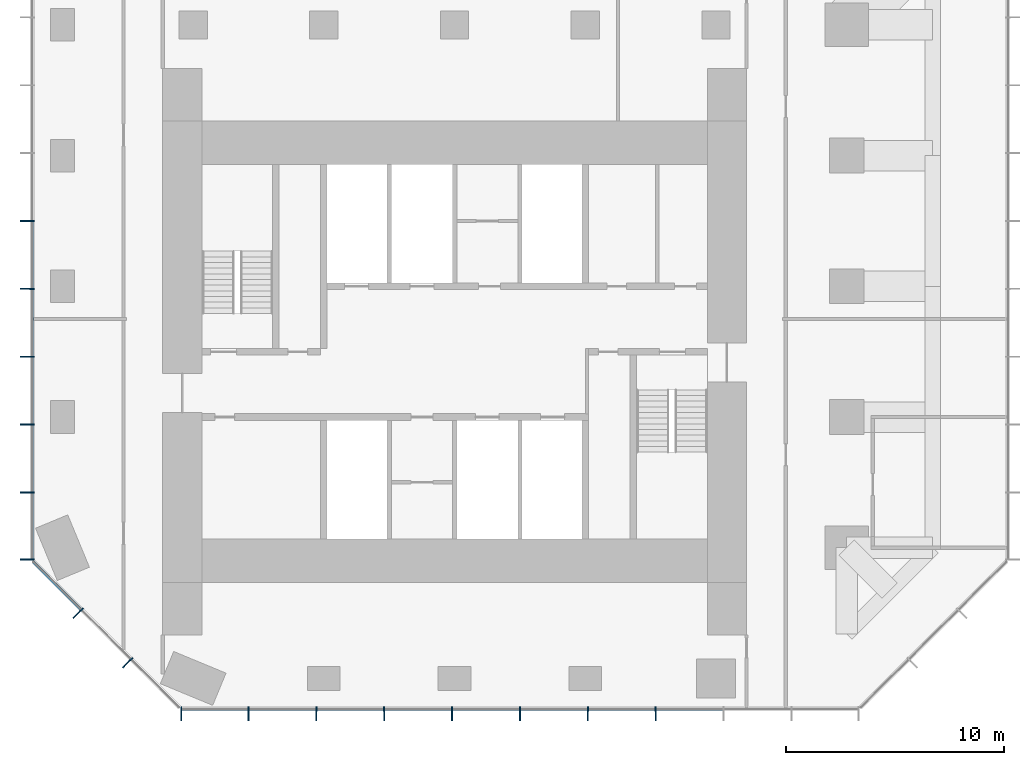
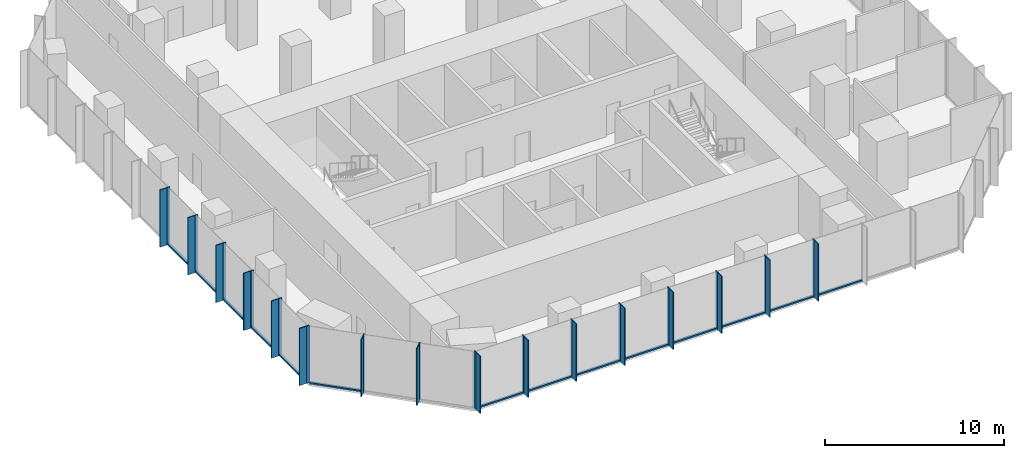
# One storey, part 2 of 11: 46 members, 3 elements without a shape of their own.
"""IFC4 building model written with IfcOpenShell, lengths in metres."""

import ifcopenshell
import ifcopenshell.guid

model = None  # the IFC model being written
_history = None  # IfcOwnerHistory: only IFC2X3 demands one
_inside = {}  # id of a spatial element -> (the spatial element, [elements in it])
_under = {}  # id of a project, library or spatial element -> (it, [spatial elements below it])
_declared = {}  # id of a project -> (the project, [libraries it declares])
_typed = {}  # id of a type object -> (the type object, [elements of that type])
_made_of = {}  # id of a material, layer set ... -> (it, [elements and type objects made of it])


def new_model(schema):
    """Start an empty IFC model of exactly this schema.

    Asked for "IFC4X3", IfcOpenShell would pick the latest addendum, in which some entities
    have other attributes; the version numbers below select the first issue.
    IFC2X3 requires an IfcOwnerHistory on every rooted entity: one is made here for all.
    """
    global model, _history
    if schema == "IFC4X3":
        model = ifcopenshell.file(schema_version=(4, 3, 0, 0))
    else:
        model = ifcopenshell.file(schema=schema)
    _inside.clear()
    _under.clear()
    _declared.clear()
    _typed.clear()
    _made_of.clear()
    _history = None
    if model.schema == "IFC2X3":
        org = make("IfcOrganization", Name="unknown")
        user = make(
            "IfcPersonAndOrganization",
            ThePerson=make("IfcPerson", FamilyName="unknown"),
            TheOrganization=org,
        )
        app = make(
            "IfcApplication",
            ApplicationDeveloper=org,
            Version="unknown",
            ApplicationFullName="unknown",
            ApplicationIdentifier="unknown",
        )
        _history = make(
            "IfcOwnerHistory",
            OwningUser=user,
            OwningApplication=app,
            ChangeAction="ADDED",
            CreationDate=0,
        )
    return model


def make(cls, **values):
    """One entity of the class cls with the attributes given. An attribute that is None is left unset."""
    return model.create_entity(
        cls, **{name: value for name, value in values.items() if value is not None}
    )


def rooted(cls, **values):
    """An entity with a GlobalId (a new one), such as an element, a storey or a relation."""
    return make(cls, GlobalId=ifcopenshell.guid.new(), OwnerHistory=_history, **values)


def si_unit(unit_type, name, prefix=None):
    """IfcSIUnit, for example si_unit("LENGTHUNIT", "METRE", prefix="MILLI")."""
    return make("IfcSIUnit", UnitType=unit_type, Prefix=prefix, Name=name)


def assignment(units):
    """IfcUnitAssignment: the units of a project."""
    return None if units is None else make("IfcUnitAssignment", Units=units)


def point(xyz):
    """IfcCartesianPoint."""
    return None if xyz is None else make("IfcCartesianPoint", Coordinates=xyz)


def direction(xyz):
    """IfcDirection."""
    return None if xyz is None else make("IfcDirection", DirectionRatios=xyz)


def frame(location, z_axis=None, x_axis=None):
    """IfcAxis2Placement3D, a coordinate frame: its origin and axes. An axis left out is left unset."""
    return make(
        "IfcAxis2Placement3D",
        Location=point(location),
        Axis=direction(z_axis),
        RefDirection=direction(x_axis),
    )


def frame_2d(location, x_axis=None):
    """IfcAxis2Placement2D, a coordinate frame in the plane: its origin and x axis."""
    return make(
        "IfcAxis2Placement2D", Location=point(location), RefDirection=direction(x_axis)
    )


def origin():
    """The frame at (0, 0, 0) with its axes left unset."""
    return frame((0.0, 0.0, 0.0))


def origin_2d():
    """The frame at (0, 0) in the plane with its x axis left unset."""
    return frame_2d((0.0, 0.0))


def place(relative_to, where):
    """IfcLocalPlacement: puts the frame where relative to a parent placement (None: the world)."""
    return make(
        "IfcLocalPlacement", PlacementRelTo=relative_to, RelativePlacement=where
    )


def context(
    kind, dimensions, precision=None, world=None, true_north=None, identifier=None
):
    """IfcGeometricRepresentationContext, for example the 3D "Model" context."""
    return make(
        "IfcGeometricRepresentationContext",
        ContextIdentifier=identifier,
        ContextType=kind,
        CoordinateSpaceDimension=dimensions,
        Precision=precision,
        WorldCoordinateSystem=world,
        TrueNorth=true_north,
    )


def subcontext(parent, identifier, kind, view, scale=None):
    """IfcGeometricRepresentationSubContext, for example "Body" below "Model"."""
    return make(
        "IfcGeometricRepresentationSubContext",
        ContextIdentifier=identifier,
        ContextType=kind,
        ParentContext=parent,
        TargetScale=scale,
        TargetView=view,
    )


def project(units=None, contexts=None):
    """IfcProject with its units and contexts."""
    return rooted(
        "IfcProject",
        Name="project",
        RepresentationContexts=contexts,
        UnitsInContext=assignment(units),
    )


def spatial(cls, under=None, at=None, **own):
    """A site, building, storey or space (cls), placed at a placement, below another one or the project."""
    s = rooted(cls, ObjectPlacement=at, **own)
    if under is not None:
        _under.setdefault(under.id(), (under, []))[1].append(s)
    return s


def profile(cls, at=None, kind="AREA", **sizes):
    """A parametric profile (cls). Its sizes go by their IFC names, for example OverallWidth=200.0."""
    return make(cls, ProfileType=kind, Position=at, **sizes)


def rectangle(**sizes):
    """IfcRectangleProfileDef."""
    return profile("IfcRectangleProfileDef", **sizes)


def extrude(swept, where, along, depth):
    """IfcExtrudedAreaSolid: the profile swept, set in the frame where, extruded along a direction by depth."""
    return make(
        "IfcExtrudedAreaSolid",
        SweptArea=swept,
        Position=where,
        ExtrudedDirection=direction(along),
        Depth=depth,
    )


def shape(context_of_items, identifier, shape_type, items):
    """IfcShapeRepresentation: the items that make up one representation, for example the "Body"."""
    return make(
        "IfcShapeRepresentation",
        ContextOfItems=context_of_items,
        RepresentationIdentifier=identifier,
        RepresentationType=shape_type,
        Items=items,
    )


def material(Name=None, Category=None):
    """IfcMaterial."""
    return make("IfcMaterial", Name=Name, Category=Category)


def layer(
    of_material, thickness, ventilated=None, Name=None, Category=None, Priority=None
):
    """IfcMaterialLayer: one layer of a wall or slab, of a material (None: an air gap)."""
    return make(
        "IfcMaterialLayer",
        Material=of_material,
        LayerThickness=thickness,
        IsVentilated=ventilated,
        Name=Name,
        Category=Category,
        Priority=Priority,
    )


def layer_set(layers, Name=None):
    """IfcMaterialLayerSet."""
    return make("IfcMaterialLayerSet", MaterialLayers=layers, LayerSetName=Name)


def material_profile(
    of_material, cross_section, Name=None, Category=None, Priority=None
):
    """IfcMaterialProfile: a cross section and its material."""
    return make(
        "IfcMaterialProfile",
        Name=Name,
        Material=of_material,
        Profile=cross_section,
        Priority=Priority,
        Category=Category,
    )


def profile_set(profiles, Name=None, composite=None):
    """IfcMaterialProfileSet."""
    return make(
        "IfcMaterialProfileSet",
        Name=Name,
        MaterialProfiles=profiles,
        CompositeProfile=composite,
    )


def made_of(thing, what):
    """Note that an element or type object is made of a material, layer set ...; save() writes the relation."""
    if what is not None:
        _made_of.setdefault(what.id(), (what, []))[1].append(thing)
    return thing


def type_object(cls, material=None, **own):
    """A type object (cls), such as IfcWallType, which elements share."""
    return made_of(rooted(cls, **own), material)


def element(
    cls,
    number,
    at=None,
    inside=None,
    cuts=None,
    type_object=None,
    material=None,
    context=None,
    identifier="Body",
    shape_type=None,
    held_by="IfcProductDefinitionShape",
    body=None,
    shapes=None,
    **own,
):
    """One element of the class cls, such as IfcWall. Its Tag is "e" and its number.

    at: its placement. inside: the storey or other place that contains it. cuts: it is an
    opening in that element (IfcRelVoidsElement). A single representation is given by context,
    identifier, shape_type and body (its items); several are given by shapes. held_by: the class
    of the entity that holds the representations. save() writes the other relations.
    """
    e = rooted(cls, Tag="e%d" % number, ObjectPlacement=at, **own)
    if body is not None:
        shapes = [shape(context, identifier, shape_type, body)]
    if shapes is not None:
        e.Representation = make(held_by, Representations=shapes)
    if inside is not None:
        _inside.setdefault(inside.id(), (inside, []))[1].append(e)
    if cuts is not None:
        rooted(
            "IfcRelVoidsElement", RelatingBuildingElement=cuts, RelatedOpeningElement=e
        )
    if type_object is not None:
        _typed.setdefault(type_object.id(), (type_object, []))[1].append(e)
    return made_of(e, material)


def aggregate(whole, parts):
    """IfcRelAggregates: a whole, such as a stair, and the parts it consists of."""
    return rooted("IfcRelAggregates", RelatingObject=whole, RelatedObjects=parts)


def save(model, path):
    """Write the relations noted so far, then the file.

    IfcRelAggregates (storeys below a building ...), IfcRelContainedInSpatialStructure (elements
    in a storey), IfcRelDefinesByType, IfcRelAssociatesMaterial and IfcRelDeclares: one each for
    every whole, place, type object, material and project.
    """
    for whole, parts in _under.values():
        aggregate(whole, parts)
    for where, things in _inside.values():
        rooted(
            "IfcRelContainedInSpatialStructure",
            RelatedElements=things,
            RelatingStructure=where,
        )
    for kind, things in _typed.values():
        rooted("IfcRelDefinesByType", RelatedObjects=things, RelatingType=kind)
    for what, things in _made_of.values():
        rooted("IfcRelAssociatesMaterial", RelatedObjects=things, RelatingMaterial=what)
    for by, libraries in _declared.values():
        rooted("IfcRelDeclares", RelatingContext=by, RelatedDefinitions=libraries)
    model.write(path)


model = new_model("IFC4")

# Units and contexts
model_context = context("Model", 3, precision=1e-05, world=origin(), true_north=direction((0.0, 1.0)))
body_context = subcontext(model_context, "Body", "Model", "MODEL_VIEW")
ifc_project = project(units=[si_unit("LENGTHUNIT", "METRE"), si_unit("AREAUNIT", "SQUARE_METRE"), si_unit("VOLUMEUNIT", "CUBIC_METRE"), si_unit("PLANEANGLEUNIT", "RADIAN"), si_unit("MASSUNIT", "GRAM", prefix="KILO")], contexts=[model_context])

# Site, building, storey
site_placement = place(None, origin())
site = spatial("IfcSite", under=ifc_project, at=site_placement, CompositionType="ELEMENT")
building_placement = place(site_placement, origin())
building = spatial("IfcBuilding", under=site, at=building_placement, Name="Highveld Stack Headquarters", CompositionType="ELEMENT")
storey_placement = place(building_placement, frame((0.0, 0.0, 177.199951171875)))
storey = spatial("IfcBuildingStorey", under=building, at=storey_placement, Name="L43", CompositionType="ELEMENT", Elevation=177.199951171875)

# Curtain wall, members
ifc_material_1 = material(Name="Aluminium bronze anodised", Category="aluminium")
ifc_layer_1 = layer(ifc_material_1, 0.199951171875)
ifc_layer_set_1 = layer_set([ifc_layer_1], Name="Aluminium bronze anodised")
curtain_wall_type_1 = type_object("IfcCurtainWallType", Name="CW1 TOWER UNITISED CURTAIN WALL", PredefinedType="NOTDEFINED", material=ifc_layer_set_1)
curtain_wall_1_placement = place(storey_placement, origin())
curtain_wall_1 = element("IfcCurtainWall", 1, at=curtain_wall_1_placement, inside=storey, type_object=curtain_wall_type_1, Name="Curtain wall CW1 L43 S", PredefinedType="NOTDEFINED")
ifc_material_2 = material(Name="Aluminium bronze anodised", Category="aluminium")
ifc_material_profile_1 = material_profile(ifc_material_2, rectangle(XDim=0.449951171875, YDim=0.06005859375, at=origin_2d()), Name="FIN 450x60")
ifc_profile_set_1 = profile_set([ifc_material_profile_1], Name="Aluminium bronze anodised")
member_type_1 = type_object("IfcMemberType", Name="CW1 BRONZE FIN 450x60", PredefinedType="USERDEFINED", material=ifc_profile_set_1)
member_1_placement = place(storey_placement, frame((-6.54736328125, -13.72509765625, 0.0), z_axis=(0.0, 0.0, 1.0), x_axis=(0.0, 1.0, 0.0)))
member_1 = element("IfcMember", 2, at=member_1_placement, type_object=member_type_1, Name="CW1 fin L43 1", ObjectType="FIN", PredefinedType="USERDEFINED", context=body_context, shape_type="SweptSolid", body=[
    extrude(rectangle(XDim=0.449951171875, YDim=0.06005859375, at=origin_2d()), origin(), (0.0, 0.0, 1.0), 3.900146484375),
])
member_2_placement = place(storey_placement, frame((-3.4638671875, -13.72509765625, 0.0), z_axis=(0.0, 0.0, 1.0), x_axis=(0.0, 1.0, 0.0)))
member_2 = element("IfcMember", 3, at=member_2_placement, type_object=member_type_1, Name="CW1 fin L43 2", ObjectType="FIN", PredefinedType="USERDEFINED", context=body_context, shape_type="SweptSolid", body=[
    extrude(rectangle(XDim=0.449951171875, YDim=0.06005859375, at=origin_2d()), origin(), (0.0, 0.0, 1.0), 3.900146484375),
])
member_3_placement = place(storey_placement, frame((-0.347900390625, -13.72509765625, 0.0), z_axis=(0.0, 0.0, 1.0), x_axis=(0.0, 1.0, 0.0)))
member_3 = element("IfcMember", 4, at=member_3_placement, type_object=member_type_1, Name="CW1 fin L43 3", ObjectType="FIN", PredefinedType="USERDEFINED", context=body_context, shape_type="SweptSolid", body=[
    extrude(rectangle(XDim=0.449951171875, YDim=0.06005859375, at=origin_2d()), origin(), (0.0, 0.0, 1.0), 3.900146484375),
])
member_4_placement = place(storey_placement, frame((2.76806640625, -13.72509765625, 0.0), z_axis=(0.0, 0.0, 1.0), x_axis=(0.0, 1.0, 0.0)))
member_4 = element("IfcMember", 5, at=member_4_placement, type_object=member_type_1, Name="CW1 fin L43 4", ObjectType="FIN", PredefinedType="USERDEFINED", context=body_context, shape_type="SweptSolid", body=[
    extrude(rectangle(XDim=0.449951171875, YDim=0.06005859375, at=origin_2d()), origin(), (0.0, 0.0, 1.0), 3.900146484375),
])
member_5_placement = place(storey_placement, frame((5.884033203125, -13.72509765625, 0.0), z_axis=(0.0, 0.0, 1.0), x_axis=(0.0, 1.0, 0.0)))
member_5 = element("IfcMember", 6, at=member_5_placement, type_object=member_type_1, Name="CW1 fin L43 5", ObjectType="FIN", PredefinedType="USERDEFINED", context=body_context, shape_type="SweptSolid", body=[
    extrude(rectangle(XDim=0.449951171875, YDim=0.06005859375, at=origin_2d()), origin(), (0.0, 0.0, 1.0), 3.900146484375),
])
member_6_placement = place(storey_placement, frame((9.0, -13.72509765625, 0.0), z_axis=(0.0, 0.0, 1.0), x_axis=(0.0, 1.0, 0.0)))
member_6 = element("IfcMember", 7, at=member_6_placement, type_object=member_type_1, Name="CW1 fin L43 6", ObjectType="FIN", PredefinedType="USERDEFINED", context=body_context, shape_type="SweptSolid", body=[
    extrude(rectangle(XDim=0.449951171875, YDim=0.06005859375, at=origin_2d()), origin(), (0.0, 0.0, 1.0), 3.900146484375),
])
member_7_placement = place(storey_placement, frame((12.115966796875, -13.72509765625, 0.0), z_axis=(0.0, 0.0, 1.0), x_axis=(0.0, 1.0, 0.0)))
member_7 = element("IfcMember", 8, at=member_7_placement, type_object=member_type_1, Name="CW1 fin L43 7", ObjectType="FIN", PredefinedType="USERDEFINED", context=body_context, shape_type="SweptSolid", body=[
    extrude(rectangle(XDim=0.449951171875, YDim=0.06005859375, at=origin_2d()), origin(), (0.0, 0.0, 1.0), 3.900146484375),
])
member_8_placement = place(storey_placement, frame((15.23193359375, -13.72509765625, 0.0), z_axis=(0.0, 0.0, 1.0), x_axis=(0.0, 1.0, 0.0)))
member_8 = element("IfcMember", 9, at=member_8_placement, type_object=member_type_1, Name="CW1 fin L43 8", ObjectType="FIN", PredefinedType="USERDEFINED", context=body_context, shape_type="SweptSolid", body=[
    extrude(rectangle(XDim=0.449951171875, YDim=0.06005859375, at=origin_2d()), origin(), (0.0, 0.0, 1.0), 3.900146484375),
])

curtain_wall_2_placement = place(storey_placement, origin())
curtain_wall_2 = element("IfcCurtainWall", 10, at=curtain_wall_2_placement, inside=storey, type_object=curtain_wall_type_1, Name="Curtain wall CW1 L43 W", PredefinedType="NOTDEFINED")
member_9_placement = place(storey_placement, frame((-13.72509765625, 9.0, 0.0), z_axis=(0.0, 0.0, 1.0), x_axis=(1.0, 0.0, 0.0)))
member_9 = element("IfcMember", 11, at=member_9_placement, type_object=member_type_1, Name="CW1 fin L43 6", ObjectType="FIN", PredefinedType="USERDEFINED", context=body_context, shape_type="SweptSolid", body=[
    extrude(rectangle(XDim=0.449951171875, YDim=0.06005859375, at=origin_2d()), origin(), (0.0, 0.0, 1.0), 3.900146484375),
])
member_10_placement = place(storey_placement, frame((-13.72509765625, 5.884033203125, 0.0), z_axis=(0.0, 0.0, 1.0), x_axis=(1.0, 0.0, 0.0)))
member_10 = element("IfcMember", 12, at=member_10_placement, type_object=member_type_1, Name="CW1 fin L43 7", ObjectType="FIN", PredefinedType="USERDEFINED", context=body_context, shape_type="SweptSolid", body=[
    extrude(rectangle(XDim=0.449951171875, YDim=0.06005859375, at=origin_2d()), origin(), (0.0, 0.0, 1.0), 3.900146484375),
])
member_11_placement = place(storey_placement, frame((-13.72509765625, 2.76806640625, 0.0), z_axis=(0.0, 0.0, 1.0), x_axis=(1.0, 0.0, 0.0)))
member_11 = element("IfcMember", 13, at=member_11_placement, type_object=member_type_1, Name="CW1 fin L43 8", ObjectType="FIN", PredefinedType="USERDEFINED", context=body_context, shape_type="SweptSolid", body=[
    extrude(rectangle(XDim=0.449951171875, YDim=0.06005859375, at=origin_2d()), origin(), (0.0, 0.0, 1.0), 3.900146484375),
])
member_12_placement = place(storey_placement, frame((-13.72509765625, -0.347900390625, 0.0), z_axis=(0.0, 0.0, 1.0), x_axis=(1.0, 0.0, 0.0)))
member_12 = element("IfcMember", 14, at=member_12_placement, type_object=member_type_1, Name="CW1 fin L43 9", ObjectType="FIN", PredefinedType="USERDEFINED", context=body_context, shape_type="SweptSolid", body=[
    extrude(rectangle(XDim=0.449951171875, YDim=0.06005859375, at=origin_2d()), origin(), (0.0, 0.0, 1.0), 3.900146484375),
])
member_13_placement = place(storey_placement, frame((-13.72509765625, -3.4638671875, 0.0), z_axis=(0.0, 0.0, 1.0), x_axis=(1.0, 0.0, 0.0)))
member_13 = element("IfcMember", 15, at=member_13_placement, type_object=member_type_1, Name="CW1 fin L43 10", ObjectType="FIN", PredefinedType="USERDEFINED", context=body_context, shape_type="SweptSolid", body=[
    extrude(rectangle(XDim=0.449951171875, YDim=0.06005859375, at=origin_2d()), origin(), (0.0, 0.0, 1.0), 3.900146484375),
])
member_14_placement = place(storey_placement, frame((-13.72509765625, -6.54736328125, 0.0), z_axis=(0.0, 0.0, 1.0), x_axis=(1.0, 0.0, 0.0)))
member_14 = element("IfcMember", 16, at=member_14_placement, type_object=member_type_1, Name="CW1 fin L43 11", ObjectType="FIN", PredefinedType="USERDEFINED", context=body_context, shape_type="SweptSolid", body=[
    extrude(rectangle(XDim=0.449951171875, YDim=0.06005859375, at=origin_2d()), origin(), (0.0, 0.0, 1.0), 3.900146484375),
])

# Member
ifc_material_3 = material(Name="Aluminium bronze anodised", Category="aluminium")
ifc_material_profile_2 = material_profile(ifc_material_3, rectangle(XDim=0.199951171875, YDim=0.06494140625, at=origin_2d()), Name="CW1 MULLION 65x200")
ifc_profile_set_2 = profile_set([ifc_material_profile_2], Name="Aluminium bronze anodised")
member_type_2 = type_object("IfcMemberType", Name="CW1 MULLION 65x200", PredefinedType="MULLION", material=ifc_profile_set_2)
member_15_placement = place(storey_placement, frame((-6.54736328125, -13.39990234375, 0.0), z_axis=(0.0, 0.0, 1.0), x_axis=(0.0, 1.0, 0.0)))
member_15 = element("IfcMember", 17, at=member_15_placement, type_object=member_type_2, Name="CW1 mullion L43 1", PredefinedType="MULLION", context=body_context, shape_type="SweptSolid", body=[
    extrude(rectangle(XDim=0.199951171875, YDim=0.06494140625, at=origin_2d()), origin(), (0.0, 0.0, 1.0), 3.900146484375),
])

member_16_placement = place(storey_placement, frame((-3.4638671875, -13.39990234375, 0.0), z_axis=(0.0, 0.0, 1.0), x_axis=(0.0, 1.0, 0.0)))
member_16 = element("IfcMember", 18, at=member_16_placement, type_object=member_type_2, Name="CW1 mullion L43 2", PredefinedType="MULLION", context=body_context, shape_type="SweptSolid", body=[
    extrude(rectangle(XDim=0.199951171875, YDim=0.06494140625, at=origin_2d()), origin(), (0.0, 0.0, 1.0), 3.900146484375),
])

member_17_placement = place(storey_placement, frame((-0.347900390625, -13.39990234375, 0.0), z_axis=(0.0, 0.0, 1.0), x_axis=(0.0, 1.0, 0.0)))
member_17 = element("IfcMember", 19, at=member_17_placement, type_object=member_type_2, Name="CW1 mullion L43 3", PredefinedType="MULLION", context=body_context, shape_type="SweptSolid", body=[
    extrude(rectangle(XDim=0.199951171875, YDim=0.06494140625, at=origin_2d()), origin(), (0.0, 0.0, 1.0), 3.900146484375),
])

member_18_placement = place(storey_placement, frame((2.76806640625, -13.39990234375, 0.0), z_axis=(0.0, 0.0, 1.0), x_axis=(0.0, 1.0, 0.0)))
member_18 = element("IfcMember", 20, at=member_18_placement, type_object=member_type_2, Name="CW1 mullion L43 4", PredefinedType="MULLION", context=body_context, shape_type="SweptSolid", body=[
    extrude(rectangle(XDim=0.199951171875, YDim=0.06494140625, at=origin_2d()), origin(), (0.0, 0.0, 1.0), 3.900146484375),
])

member_19_placement = place(storey_placement, frame((5.884033203125, -13.39990234375, 0.0), z_axis=(0.0, 0.0, 1.0), x_axis=(0.0, 1.0, 0.0)))
member_19 = element("IfcMember", 21, at=member_19_placement, type_object=member_type_2, Name="CW1 mullion L43 5", PredefinedType="MULLION", context=body_context, shape_type="SweptSolid", body=[
    extrude(rectangle(XDim=0.199951171875, YDim=0.06494140625, at=origin_2d()), origin(), (0.0, 0.0, 1.0), 3.900146484375),
])

member_20_placement = place(storey_placement, frame((9.0, -13.39990234375, 0.0), z_axis=(0.0, 0.0, 1.0), x_axis=(0.0, 1.0, 0.0)))
member_20 = element("IfcMember", 22, at=member_20_placement, type_object=member_type_2, Name="CW1 mullion L43 6", PredefinedType="MULLION", context=body_context, shape_type="SweptSolid", body=[
    extrude(rectangle(XDim=0.199951171875, YDim=0.06494140625, at=origin_2d()), origin(), (0.0, 0.0, 1.0), 3.900146484375),
])

member_21_placement = place(storey_placement, frame((12.115966796875, -13.39990234375, 0.0), z_axis=(0.0, 0.0, 1.0), x_axis=(0.0, 1.0, 0.0)))
member_21 = element("IfcMember", 23, at=member_21_placement, type_object=member_type_2, Name="CW1 mullion L43 7", PredefinedType="MULLION", context=body_context, shape_type="SweptSolid", body=[
    extrude(rectangle(XDim=0.199951171875, YDim=0.06494140625, at=origin_2d()), origin(), (0.0, 0.0, 1.0), 3.900146484375),
])

member_22_placement = place(storey_placement, frame((15.23193359375, -13.39990234375, 0.0), z_axis=(0.0, 0.0, 1.0), x_axis=(0.0, 1.0, 0.0)))
member_22 = element("IfcMember", 24, at=member_22_placement, type_object=member_type_2, Name="CW1 mullion L43 8", PredefinedType="MULLION", context=body_context, shape_type="SweptSolid", body=[
    extrude(rectangle(XDim=0.199951171875, YDim=0.06494140625, at=origin_2d()), origin(), (0.0, 0.0, 1.0), 3.900146484375),
])

member_23_placement = place(storey_placement, frame((-13.39990234375, 9.0, 0.0), z_axis=(0.0, 0.0, 1.0), x_axis=(1.0, 0.0, 0.0)))
member_23 = element("IfcMember", 25, at=member_23_placement, type_object=member_type_2, Name="CW1 mullion L43 6", PredefinedType="MULLION", context=body_context, shape_type="SweptSolid", body=[
    extrude(rectangle(XDim=0.199951171875, YDim=0.06494140625, at=origin_2d()), origin(), (0.0, 0.0, 1.0), 3.900146484375),
])

member_24_placement = place(storey_placement, frame((-13.39990234375, 5.884033203125, 0.0), z_axis=(0.0, 0.0, 1.0), x_axis=(1.0, 0.0, 0.0)))
member_24 = element("IfcMember", 26, at=member_24_placement, type_object=member_type_2, Name="CW1 mullion L43 7", PredefinedType="MULLION", context=body_context, shape_type="SweptSolid", body=[
    extrude(rectangle(XDim=0.199951171875, YDim=0.06494140625, at=origin_2d()), origin(), (0.0, 0.0, 1.0), 3.900146484375),
])

member_25_placement = place(storey_placement, frame((-13.39990234375, 2.76806640625, 0.0), z_axis=(0.0, 0.0, 1.0), x_axis=(1.0, 0.0, 0.0)))
member_25 = element("IfcMember", 27, at=member_25_placement, type_object=member_type_2, Name="CW1 mullion L43 8", PredefinedType="MULLION", context=body_context, shape_type="SweptSolid", body=[
    extrude(rectangle(XDim=0.199951171875, YDim=0.06494140625, at=origin_2d()), origin(), (0.0, 0.0, 1.0), 3.900146484375),
])

member_26_placement = place(storey_placement, frame((-13.39990234375, -0.347900390625, 0.0), z_axis=(0.0, 0.0, 1.0), x_axis=(1.0, 0.0, 0.0)))
member_26 = element("IfcMember", 28, at=member_26_placement, type_object=member_type_2, Name="CW1 mullion L43 9", PredefinedType="MULLION", context=body_context, shape_type="SweptSolid", body=[
    extrude(rectangle(XDim=0.199951171875, YDim=0.06494140625, at=origin_2d()), origin(), (0.0, 0.0, 1.0), 3.900146484375),
])

member_27_placement = place(storey_placement, frame((-13.39990234375, -3.4638671875, 0.0), z_axis=(0.0, 0.0, 1.0), x_axis=(1.0, 0.0, 0.0)))
member_27 = element("IfcMember", 29, at=member_27_placement, type_object=member_type_2, Name="CW1 mullion L43 10", PredefinedType="MULLION", context=body_context, shape_type="SweptSolid", body=[
    extrude(rectangle(XDim=0.199951171875, YDim=0.06494140625, at=origin_2d()), origin(), (0.0, 0.0, 1.0), 3.900146484375),
])

member_28_placement = place(storey_placement, frame((-13.39990234375, -6.54736328125, 0.0), z_axis=(0.0, 0.0, 1.0), x_axis=(1.0, 0.0, 0.0)))
member_28 = element("IfcMember", 30, at=member_28_placement, type_object=member_type_2, Name="CW1 mullion L43 11", PredefinedType="MULLION", context=body_context, shape_type="SweptSolid", body=[
    extrude(rectangle(XDim=0.199951171875, YDim=0.06494140625, at=origin_2d()), origin(), (0.0, 0.0, 1.0), 3.900146484375),
])

ifc_material_4 = material(Name="Aluminium bronze anodised", Category="aluminium")
ifc_material_profile_3 = material_profile(ifc_material_4, rectangle(XDim=0.14990234375, YDim=0.10009765625, at=origin_2d()), Name="CW1 TRANSOM 150x100")
ifc_profile_set_3 = profile_set([ifc_material_profile_3], Name="Aluminium bronze anodised")
member_type_3 = type_object("IfcMemberType", Name="CW1 STACK TRANSOM 150x100", PredefinedType="USERDEFINED", material=ifc_profile_set_3)
member_29_placement = place(storey_placement, frame((-6.514892578125, -13.39990234375, 0.050048828125), z_axis=(1.0, 0.0, 0.0), x_axis=(0.0, 1.0, 0.0)))
member_29 = element("IfcMember", 31, at=member_29_placement, type_object=member_type_3, Name="CW1 transom L43 1.1", ObjectType="TRANSOM", PredefinedType="USERDEFINED", context=body_context, shape_type="SweptSolid", body=[
    extrude(rectangle(XDim=0.14990234375, YDim=0.10009765625, at=origin_2d()), origin(), (0.0, 0.0, 1.0), 3.0185546875),
])

member_30_placement = place(storey_placement, frame((-3.431396484375, -13.39990234375, 0.050048828125), z_axis=(1.0, 0.0, 0.0), x_axis=(0.0, 1.0, 0.0)))
member_30 = element("IfcMember", 32, at=member_30_placement, type_object=member_type_3, Name="CW1 transom L43 2.1", ObjectType="TRANSOM", PredefinedType="USERDEFINED", context=body_context, shape_type="SweptSolid", body=[
    extrude(rectangle(XDim=0.14990234375, YDim=0.10009765625, at=origin_2d()), origin(), (0.0, 0.0, 1.0), 3.051025390625),
])

member_31_placement = place(storey_placement, frame((-0.3154296875, -13.39990234375, 0.050048828125), z_axis=(1.0, 0.0, 0.0), x_axis=(0.0, 1.0, 0.0)))
member_31 = element("IfcMember", 33, at=member_31_placement, type_object=member_type_3, Name="CW1 transom L43 3.1", ObjectType="TRANSOM", PredefinedType="USERDEFINED", context=body_context, shape_type="SweptSolid", body=[
    extrude(rectangle(XDim=0.14990234375, YDim=0.10009765625, at=origin_2d()), origin(), (0.0, 0.0, 1.0), 3.051025390625),
])

member_32_placement = place(storey_placement, frame((2.800537109375, -13.39990234375, 0.050048828125), z_axis=(1.0, 0.0, 0.0), x_axis=(0.0, 1.0, 0.0)))
member_32 = element("IfcMember", 34, at=member_32_placement, type_object=member_type_3, Name="CW1 transom L43 4.1", ObjectType="TRANSOM", PredefinedType="USERDEFINED", context=body_context, shape_type="SweptSolid", body=[
    extrude(rectangle(XDim=0.14990234375, YDim=0.10009765625, at=origin_2d()), origin(), (0.0, 0.0, 1.0), 3.051025390625),
])

member_33_placement = place(storey_placement, frame((5.91650390625, -13.39990234375, 0.050048828125), z_axis=(1.0, 0.0, 0.0), x_axis=(0.0, 1.0, 0.0)))
member_33 = element("IfcMember", 35, at=member_33_placement, type_object=member_type_3, Name="CW1 transom L43 5.1", ObjectType="TRANSOM", PredefinedType="USERDEFINED", context=body_context, shape_type="SweptSolid", body=[
    extrude(rectangle(XDim=0.14990234375, YDim=0.10009765625, at=origin_2d()), origin(), (0.0, 0.0, 1.0), 3.051025390625),
])

member_34_placement = place(storey_placement, frame((9.032470703125, -13.39990234375, 0.050048828125), z_axis=(1.0, 0.0, 0.0), x_axis=(0.0, 1.0, 0.0)))
member_34 = element("IfcMember", 36, at=member_34_placement, type_object=member_type_3, Name="CW1 transom L43 6.1", ObjectType="TRANSOM", PredefinedType="USERDEFINED", context=body_context, shape_type="SweptSolid", body=[
    extrude(rectangle(XDim=0.14990234375, YDim=0.10009765625, at=origin_2d()), origin(), (0.0, 0.0, 1.0), 3.051025390625),
])

member_35_placement = place(storey_placement, frame((12.1484375, -13.39990234375, 0.050048828125), z_axis=(1.0, 0.0, 0.0), x_axis=(0.0, 1.0, 0.0)))
member_35 = element("IfcMember", 37, at=member_35_placement, type_object=member_type_3, Name="CW1 transom L43 7.1", ObjectType="TRANSOM", PredefinedType="USERDEFINED", context=body_context, shape_type="SweptSolid", body=[
    extrude(rectangle(XDim=0.14990234375, YDim=0.10009765625, at=origin_2d()), origin(), (0.0, 0.0, 1.0), 3.051025390625),
])

member_36_placement = place(storey_placement, frame((15.264404296875, -13.39990234375, 0.050048828125), z_axis=(1.0, 0.0, 0.0), x_axis=(0.0, 1.0, 0.0)))
member_36 = element("IfcMember", 38, at=member_36_placement, type_object=member_type_3, Name="CW1 transom L43 8.1", ObjectType="TRANSOM", PredefinedType="USERDEFINED", context=body_context, shape_type="SweptSolid", body=[
    extrude(rectangle(XDim=0.14990234375, YDim=0.10009765625, at=origin_2d()), origin(), (0.0, 0.0, 1.0), 3.051025390625),
])

aggregate(curtain_wall_1, [member_15, member_1, member_16, member_2, member_17, member_3, member_18, member_4, member_19, member_5, member_20, member_6, member_21, member_7, member_22, member_8, member_29, member_30, member_31, member_32, member_33, member_34, member_35, member_36])

member_37_placement = place(storey_placement, frame((-13.39990234375, 8.967529296875, 0.050048828125), z_axis=(0.0, -1.0, 0.0), x_axis=(1.0, 0.0, 0.0)))
member_37 = element("IfcMember", 39, at=member_37_placement, type_object=member_type_3, Name="CW1 transom L43 6.1", ObjectType="TRANSOM", PredefinedType="USERDEFINED", context=body_context, shape_type="SweptSolid", body=[
    extrude(rectangle(XDim=0.14990234375, YDim=0.10009765625, at=origin_2d()), origin(), (0.0, 0.0, 1.0), 3.051025390625),
])

member_38_placement = place(storey_placement, frame((-13.39990234375, 5.8515625, 0.050048828125), z_axis=(0.0, -1.0, 0.0), x_axis=(1.0, 0.0, 0.0)))
member_38 = element("IfcMember", 40, at=member_38_placement, type_object=member_type_3, Name="CW1 transom L43 7.1", ObjectType="TRANSOM", PredefinedType="USERDEFINED", context=body_context, shape_type="SweptSolid", body=[
    extrude(rectangle(XDim=0.14990234375, YDim=0.10009765625, at=origin_2d()), origin(), (0.0, 0.0, 1.0), 3.051025390625),
])

member_39_placement = place(storey_placement, frame((-13.39990234375, 2.735595703125, 0.050048828125), z_axis=(0.0, -1.0, 0.0), x_axis=(1.0, 0.0, 0.0)))
member_39 = element("IfcMember", 41, at=member_39_placement, type_object=member_type_3, Name="CW1 transom L43 8.1", ObjectType="TRANSOM", PredefinedType="USERDEFINED", context=body_context, shape_type="SweptSolid", body=[
    extrude(rectangle(XDim=0.14990234375, YDim=0.10009765625, at=origin_2d()), origin(), (0.0, 0.0, 1.0), 3.051025390625),
])

member_40_placement = place(storey_placement, frame((-13.39990234375, -0.38037109375, 0.050048828125), z_axis=(0.0, -1.0, 0.0), x_axis=(1.0, 0.0, 0.0)))
member_40 = element("IfcMember", 42, at=member_40_placement, type_object=member_type_3, Name="CW1 transom L43 9.1", ObjectType="TRANSOM", PredefinedType="USERDEFINED", context=body_context, shape_type="SweptSolid", body=[
    extrude(rectangle(XDim=0.14990234375, YDim=0.10009765625, at=origin_2d()), origin(), (0.0, 0.0, 1.0), 3.051025390625),
])

member_41_placement = place(storey_placement, frame((-13.39990234375, -3.496337890625, 0.050048828125), z_axis=(0.0, -1.0, 0.0), x_axis=(1.0, 0.0, 0.0)))
member_41 = element("IfcMember", 43, at=member_41_placement, type_object=member_type_3, Name="CW1 transom L43 10.1", ObjectType="TRANSOM", PredefinedType="USERDEFINED", context=body_context, shape_type="SweptSolid", body=[
    extrude(rectangle(XDim=0.14990234375, YDim=0.10009765625, at=origin_2d()), origin(), (0.0, 0.0, 1.0), 3.0185546875),
])

aggregate(curtain_wall_2, [member_23, member_9, member_24, member_10, member_25, member_11, member_26, member_12, member_27, member_13, member_28, member_14, member_37, member_38, member_39, member_40, member_41])

# Curtain wall, members
ifc_material_5 = material(Name="Aluminium bronze anodised", Category="aluminium")
ifc_layer_2 = layer(ifc_material_5, 0.199951171875)
ifc_layer_set_2 = layer_set([ifc_layer_2], Name="Aluminium bronze anodised")
curtain_wall_type_2 = type_object("IfcCurtainWallType", Name="CW2 TOWER CHAMFER UNITISED CURTAIN WALL", PredefinedType="NOTDEFINED", material=ifc_layer_set_2)
curtain_wall_3_placement = place(storey_placement, origin())
curtain_wall_3 = element("IfcCurtainWall", 44, at=curtain_wall_3_placement, inside=storey, type_object=curtain_wall_type_2, Name="Curtain wall CW2 L43 SW", PredefinedType="NOTDEFINED")
ifc_material_6 = material(Name="Aluminium bronze anodised", Category="aluminium")
ifc_material_profile_4 = material_profile(ifc_material_6, rectangle(XDim=0.449951171875, YDim=0.06005859375, at=origin_2d()), Name="FIN 450x60")
ifc_profile_set_4 = profile_set([ifc_material_profile_4], Name="Aluminium bronze anodised")
member_type_4 = type_object("IfcMemberType", Name="CW2 BRONZE FIN 450x60", PredefinedType="USERDEFINED", material=ifc_profile_set_4)
member_42_placement = place(storey_placement, frame((-11.3564453125, -9.0830078125, 0.0), z_axis=(0.0, 0.0, 1.0), x_axis=(0.707106781187, 0.707106781187, 0.0)))
member_42 = element("IfcMember", 45, at=member_42_placement, type_object=member_type_4, Name="CW2 fin L43 1", ObjectType="FIN", PredefinedType="USERDEFINED", context=body_context, shape_type="SweptSolid", body=[
    extrude(rectangle(XDim=0.449951171875, YDim=0.06005859375, at=origin_2d()), origin(), (0.0, 0.0, 1.0), 3.900146484375),
])
member_43_placement = place(storey_placement, frame((-9.0830078125, -11.3564453125, 0.0), z_axis=(0.0, 0.0, 1.0), x_axis=(0.707106781187, 0.707106781187, 0.0)))
member_43 = element("IfcMember", 46, at=member_43_placement, type_object=member_type_4, Name="CW2 fin L43 2", ObjectType="FIN", PredefinedType="USERDEFINED", context=body_context, shape_type="SweptSolid", body=[
    extrude(rectangle(XDim=0.449951171875, YDim=0.06005859375, at=origin_2d()), origin(), (0.0, 0.0, 1.0), 3.900146484375),
])
ifc_material_7 = material(Name="Aluminium bronze anodised", Category="aluminium")
ifc_material_profile_5 = material_profile(ifc_material_7, rectangle(XDim=0.199951171875, YDim=0.06494140625, at=origin_2d()), Name="CW2 MULLION 65x200")
ifc_profile_set_5 = profile_set([ifc_material_profile_5], Name="Aluminium bronze anodised")
member_type_5 = type_object("IfcMemberType", Name="CW2 MULLION 65x200", PredefinedType="MULLION", material=ifc_profile_set_5)
member_44_placement = place(storey_placement, frame((-11.126708984375, -8.853271484375, 0.0), z_axis=(0.0, 0.0, 1.0), x_axis=(0.707106781187, 0.707106781187, 0.0)))
member_44 = element("IfcMember", 47, at=member_44_placement, type_object=member_type_5, Name="CW2 mullion L43 1", PredefinedType="MULLION", context=body_context, shape_type="SweptSolid", body=[
    extrude(rectangle(XDim=0.199951171875, YDim=0.06494140625, at=origin_2d()), origin(), (0.0, 0.0, 1.0), 3.900146484375),
])
member_45_placement = place(storey_placement, frame((-8.853271484375, -11.126708984375, 0.0), z_axis=(0.0, 0.0, 1.0), x_axis=(0.707106781187, 0.707106781187, 0.0)))
member_45 = element("IfcMember", 48, at=member_45_placement, type_object=member_type_5, Name="CW2 mullion L43 2", PredefinedType="MULLION", context=body_context, shape_type="SweptSolid", body=[
    extrude(rectangle(XDim=0.199951171875, YDim=0.06494140625, at=origin_2d()), origin(), (0.0, 0.0, 1.0), 3.900146484375),
])
ifc_material_8 = material(Name="Aluminium bronze anodised", Category="aluminium")
ifc_material_profile_6 = material_profile(ifc_material_8, rectangle(XDim=0.14990234375, YDim=0.10009765625, at=origin_2d()), Name="CW2 TRANSOM 150x100")
ifc_profile_set_6 = profile_set([ifc_material_profile_6], Name="Aluminium bronze anodised")
member_type_6 = type_object("IfcMemberType", Name="CW2 STACK TRANSOM 150x100", PredefinedType="USERDEFINED", material=ifc_profile_set_6)
member_46_placement = place(storey_placement, frame((-13.329345703125, -6.650634765625, 0.050048828125), z_axis=(0.707106781187, -0.707106781187, 0.0), x_axis=(0.707106781187, 0.707106781187, 0.0)))
member_46 = element("IfcMember", 49, at=member_46_placement, type_object=member_type_6, Name="CW2 transom L43 1.1", ObjectType="TRANSOM", PredefinedType="USERDEFINED", context=body_context, shape_type="SweptSolid", body=[
    extrude(rectangle(XDim=0.14990234375, YDim=0.10009765625, at=origin_2d()), origin(), (0.0, 0.0, 1.0), 3.08251953125),
])
aggregate(curtain_wall_3, [member_44, member_42, member_45, member_43, member_46])

save(model, "model.ifc")
